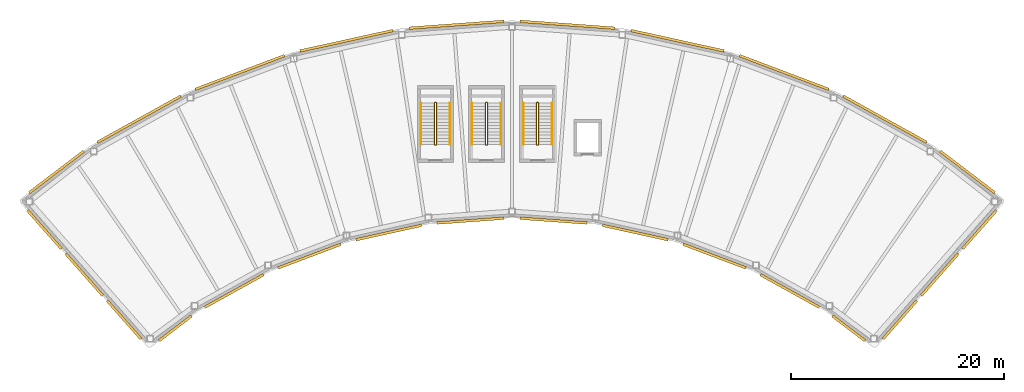
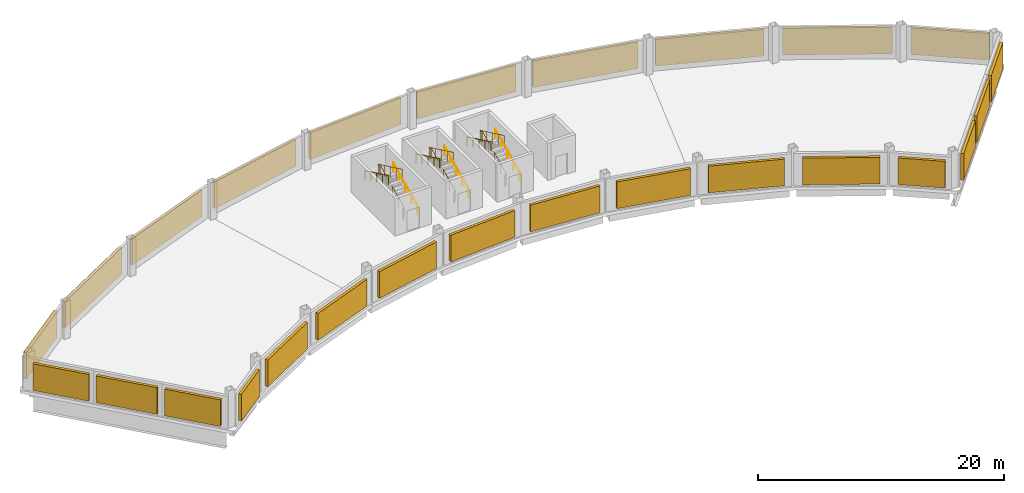
# One storey, part 5 of 5: 26 shading devices, 9 railings.
"""IFC4 building model written with IfcOpenShell, lengths in metres."""

from ifc_helpers import new_model, si_unit, direction, frame, origin, origin_2d, place, context, subcontext, project, spatial, rectangle, circle, extrude, material, type_object, element, save


model = new_model("IFC4")

# Units and contexts
model_context = context("Model", 3, precision=1e-05, world=origin(), true_north=direction((0.0, 1.0)))
body_context = subcontext(model_context, "Body", "Model", "MODEL_VIEW")
ifc_project = project(units=[si_unit("LENGTHUNIT", "METRE"), si_unit("AREAUNIT", "SQUARE_METRE"), si_unit("VOLUMEUNIT", "CUBIC_METRE"), si_unit("PLANEANGLEUNIT", "RADIAN"), si_unit("MASSUNIT", "GRAM", prefix="KILO")], contexts=[model_context])

# Site, building, storey
site_placement = place(None, origin())
site = spatial("IfcSite", under=ifc_project, at=site_placement, CompositionType="ELEMENT")
building_placement = place(site_placement, origin())
building = spatial("IfcBuilding", under=site, at=building_placement, Name="Tuul Gate Civic Tower", CompositionType="ELEMENT")
storey_placement = place(building_placement, frame((0.0, 0.0, 364.10009765625)))
storey = spatial("IfcBuildingStorey", under=building, at=storey_placement, Name="Crown tier 1 upper", CompositionType="ELEMENT", Elevation=364.10009765625)

# Shading devices
ifc_material_1 = material(Name="Aluminium louvre", Category="aluminium")
shading_device_type = type_object("IfcShadingDeviceType", Name="Louvre panel", PredefinedType="USERDEFINED", material=ifc_material_1)
shading_device_1_placement = place(storey_placement, frame((44.9931640625, -1.81201171875, 0.300048828125), z_axis=(0.0, 0.0, 1.0), x_axis=(0.605782498172, 0.795630294112, 0.0)))
element("IfcShadingDevice", 1, at=shading_device_1_placement, inside=storey, type_object=shading_device_type, Name="Louvre panel", ObjectType="LOUVRE", PredefinedType="USERDEFINED", context=body_context, shape_type="SweptSolid", body=[
    extrude(rectangle(XDim=0.25, YDim=6.449951171875, at=origin_2d()), origin(), (0.0, 0.0, 1.0), 2.64990234375),
])
for number, where, z_axis, x_axis, name in (
    (2, (37.234130859375, 3.147216796875, 0.300048828125), (0.0, 0.0, 1.0), (0.484806132848, 0.874621640227, 0.0), "Louvre panel"),
    (3, (27.7578125, 7.537353515625, 0.300048828125), (0.0, 0.0, 1.0), (0.353690785552, 0.935362404748, 0.0), "Louvre panel"),
    (4, (17.748291015625, 10.51611328125, 0.300048828125), (0.0, 0.0, 1.0), (0.215268775226, 0.976554839429, 0.0), "Louvre panel"),
    (5, (7.4140625, 12.021240234375, 0.300048828125), (0.0, 0.0, 1.0), (0.072225988978, 0.997388292751, 0.0), "Louvre panel"),
    (6, (-3.030029296875, 12.021240234375, 0.300048828125), (0.0, 0.0, 1.0), (-0.072225988978, 0.997388292751, 0.0), "Louvre panel"),
    (7, (-13.364501953125, 10.51611328125, 0.300048828125), (0.0, 0.0, 1.0), (-0.215268775226, 0.976554839429, 0.0), "Louvre panel"),
    (8, (-23.373779296875, 7.537353515625, 0.300048828125), (0.0, 0.0, 1.0), (-0.353690785552, 0.935362404748, 0.0), "Louvre panel"),
    (9, (-32.85009765625, 3.147216796875, 0.300048828125), (0.0, 0.0, 1.0), (-0.484806132848, 0.874621640227, 0.0), "Louvre panel"),
):
    element("IfcShadingDevice", number, at=place(storey_placement, frame(where, z_axis=z_axis, x_axis=x_axis)), inside=storey, type_object=shading_device_type, Name=name, ObjectType="LOUVRE", PredefinedType="USERDEFINED", context=body_context, shape_type="SweptSolid", body=[
        extrude(rectangle(XDim=0.25, YDim=8.949951171875, at=origin_2d()), origin(), (0.0, 0.0, 1.0), 2.64990234375),
    ])
shading_device_2_placement = place(storey_placement, frame((-40.609130859375, -1.81201171875, 0.300048828125), z_axis=(0.0, 0.0, 1.0), x_axis=(-0.605782498172, 0.795630294112, 0.0)))
element("IfcShadingDevice", 10, at=shading_device_2_placement, inside=storey, type_object=shading_device_type, Name="Louvre panel", ObjectType="LOUVRE", PredefinedType="USERDEFINED", context=body_context, shape_type="SweptSolid", body=[
    extrude(rectangle(XDim=0.25, YDim=6.449951171875, at=origin_2d()), origin(), (0.0, 0.0, 1.0), 2.64990234375),
])
shading_device_3_placement = place(storey_placement, frame((-41.747802734375, -7.220458984375, 0.300048828125), z_axis=(0.0, 0.0, 1.0), x_axis=(-0.749793201681, -0.661672241153, 0.0)))
element("IfcShadingDevice", 11, at=shading_device_3_placement, inside=storey, type_object=shading_device_type, Name="Louvre panel", ObjectType="LOUVRE", PredefinedType="USERDEFINED", context=body_context, shape_type="SweptSolid", body=[
    extrude(rectangle(XDim=0.25, YDim=4.800048828125, at=origin_2d()), origin(), (0.0, 0.0, 1.0), 2.64990234375),
])
shading_device_4_placement = place(storey_placement, frame((-38.004638671875, -11.462158203125, 0.300048828125), z_axis=(0.0, 0.0, 1.0), x_axis=(-0.749793201681, -0.661672241153, 0.0)))
element("IfcShadingDevice", 12, at=shading_device_4_placement, inside=storey, type_object=shading_device_type, Name="Louvre panel", ObjectType="LOUVRE", PredefinedType="USERDEFINED", context=body_context, shape_type="SweptSolid", body=[
    extrude(rectangle(XDim=0.25, YDim=5.25, at=origin_2d()), origin(), (0.0, 0.0, 1.0), 2.64990234375),
])
shading_device_5_placement = place(storey_placement, frame((-34.26171875, -15.703857421875, 0.300048828125), z_axis=(0.0, 0.0, 1.0), x_axis=(-0.749793201681, -0.661672241153, 0.0)))
element("IfcShadingDevice", 13, at=shading_device_5_placement, inside=storey, type_object=shading_device_type, Name="Louvre panel", ObjectType="LOUVRE", PredefinedType="USERDEFINED", context=body_context, shape_type="SweptSolid", body=[
    extrude(rectangle(XDim=0.25, YDim=4.800048828125, at=origin_2d()), origin(), (0.0, 0.0, 1.0), 2.64990234375),
])
shading_device_6_placement = place(storey_placement, frame((-29.44921875, -16.50439453125, 0.300048828125), z_axis=(0.0, 0.0, 1.0), x_axis=(0.605752057949, -0.79565346998, 0.0)))
element("IfcShadingDevice", 14, at=shading_device_6_placement, inside=storey, type_object=shading_device_type, Name="Louvre panel", ObjectType="LOUVRE", PredefinedType="USERDEFINED", context=body_context, shape_type="SweptSolid", body=[
    extrude(rectangle(XDim=0.25, YDim=3.85009765625, at=origin_2d()), origin(), (0.0, 0.0, 1.0), 2.64990234375),
])
for number, where, z_axis, x_axis, name in (
    (15, (-23.905517578125, -12.98974609375, 0.300048828125), (0.0, 0.0, 1.0), (0.484784498431, -0.874633631917, 0.0), "Louvre panel"),
    (16, (-16.848388671875, -9.720458984375, 0.300048828125), (0.0, 0.0, 1.0), (0.353743883051, -0.935342325143, 0.0), "Louvre panel"),
    (17, (-9.3935546875, -7.501953125, 0.300048828125), (0.0, 0.0, 1.0), (0.215196143732, -0.976570847262, 0.0), "Louvre panel"),
    (18, (-1.697021484375, -6.381103515625, 0.300048828125), (0.0, 0.0, 1.0), (0.072283482832, -0.997384127661, 0.0), "Louvre panel"),
    (19, (6.0810546875, -6.381103515625, 0.300048828125), (0.0, 0.0, 1.0), (-0.072283482832, -0.997384127661, 0.0), "Louvre panel"),
    (20, (13.777587890625, -7.501953125, 0.300048828125), (0.0, 0.0, 1.0), (-0.215196143732, -0.976570847262, 0.0), "Louvre panel"),
    (21, (21.232177734375, -9.720458984375, 0.300048828125), (0.0, 0.0, 1.0), (-0.353743883051, -0.935342325143, 0.0), "Louvre panel"),
    (22, (28.289306640625, -12.98974609375, 0.300048828125), (0.0, 0.0, 1.0), (-0.484784498431, -0.874633631917, 0.0), "Louvre panel"),
):
    element("IfcShadingDevice", number, at=place(storey_placement, frame(where, z_axis=z_axis, x_axis=x_axis)), inside=storey, type_object=shading_device_type, Name=name, ObjectType="LOUVRE", PredefinedType="USERDEFINED", context=body_context, shape_type="SweptSolid", body=[
        extrude(rectangle(XDim=0.25, YDim=6.300048828125, at=origin_2d()), origin(), (0.0, 0.0, 1.0), 2.64990234375),
    ])
shading_device_7_placement = place(storey_placement, frame((33.833251953125, -16.50439453125, 0.300048828125), z_axis=(0.0, 0.0, 1.0), x_axis=(-0.605752057949, -0.79565346998, 0.0)))
element("IfcShadingDevice", 23, at=shading_device_7_placement, inside=storey, type_object=shading_device_type, Name="Louvre panel", ObjectType="LOUVRE", PredefinedType="USERDEFINED", context=body_context, shape_type="SweptSolid", body=[
    extrude(rectangle(XDim=0.25, YDim=3.85009765625, at=origin_2d()), origin(), (0.0, 0.0, 1.0), 2.64990234375),
])
shading_device_8_placement = place(storey_placement, frame((38.6455078125, -15.703857421875, 0.300048828125), z_axis=(0.0, 0.0, 1.0), x_axis=(0.749793201681, -0.661672241153, 0.0)))
element("IfcShadingDevice", 24, at=shading_device_8_placement, inside=storey, type_object=shading_device_type, Name="Louvre panel", ObjectType="LOUVRE", PredefinedType="USERDEFINED", context=body_context, shape_type="SweptSolid", body=[
    extrude(rectangle(XDim=0.25, YDim=4.800048828125, at=origin_2d()), origin(), (0.0, 0.0, 1.0), 2.64990234375),
])
shading_device_9_placement = place(storey_placement, frame((42.388671875, -11.462158203125, 0.300048828125), z_axis=(0.0, 0.0, 1.0), x_axis=(0.749793201681, -0.661672241153, 0.0)))
element("IfcShadingDevice", 25, at=shading_device_9_placement, inside=storey, type_object=shading_device_type, Name="Louvre panel", ObjectType="LOUVRE", PredefinedType="USERDEFINED", context=body_context, shape_type="SweptSolid", body=[
    extrude(rectangle(XDim=0.25, YDim=5.25, at=origin_2d()), origin(), (0.0, 0.0, 1.0), 2.64990234375),
])
shading_device_10_placement = place(storey_placement, frame((46.1318359375, -7.220458984375, 0.300048828125), z_axis=(0.0, 0.0, 1.0), x_axis=(0.749793201681, -0.661672241153, 0.0)))
element("IfcShadingDevice", 26, at=shading_device_10_placement, inside=storey, type_object=shading_device_type, Name="Louvre panel", ObjectType="LOUVRE", PredefinedType="USERDEFINED", context=body_context, shape_type="SweptSolid", body=[
    extrude(rectangle(XDim=0.25, YDim=4.800048828125, at=origin_2d()), origin(), (0.0, 0.0, 1.0), 2.64990234375),
])

# Railings
ifc_material_2 = material(Name="Painted steel", Category="steel")
railing_type_1 = type_object("IfcRailingType", Name="Stair guard", PredefinedType="GUARDRAIL", material=ifc_material_2)
railing_1_placement = place(storey_placement, frame((-4.949951171875, 0.699951171875, 0.0)))
element("IfcRailing", 27, at=railing_1_placement, inside=storey, type_object=railing_type_1, Name="Crown tier 1 upper ST-5 stair guard 1", PredefinedType="GUARDRAIL", context=body_context, shape_type="SweptSolid", body=[
    extrude(circle(Radius=0.02392578125, at=origin_2d()), frame((0.0, 0.0, 1.076171875), z_axis=(-1.0, 0.0, 0.0), x_axis=(0.0, -1.0, 0.0)), (0.0, 0.0, 1.0), 0.10009765625),
    extrude(circle(Radius=0.02392578125, at=origin_2d()), frame((-0.10009765625, 0.0, 1.076171875), z_axis=(0.704307497325, 0.234769165775, 0.669951034041), x_axis=(-0.316227766017, 0.948683298051, 0.0)), (0.0, 0.0, 1.0), 0.213134765625),
    extrude(circle(Radius=0.02392578125, at=origin_2d()), frame((0.050048828125, 0.050048828125, 1.21875), z_axis=(0.0, 0.902853205547, 0.429948937937), x_axis=(-1.0, 0.0, 0.0)), (0.0, 0.0, 1.0), 4.319580078125),
    extrude(circle(Radius=0.02392578125, at=origin_2d()), frame((0.050048828125, 3.949951171875, 3.076171875), z_axis=(-0.707106781187, 0.707106781187, 0.0), x_axis=(-0.707106781187, -0.707106781187, 0.0)), (0.0, 0.0, 1.0), 0.07080078125),
    extrude(circle(Radius=0.02392578125, at=origin_2d()), frame((0.0, 4.0, 3.076171875), z_axis=(-1.0, 0.0, 0.0), x_axis=(0.0, -1.0, 0.0)), (0.0, 0.0, 1.0), 0.10009765625),
    extrude(circle(Radius=0.02392578125, at=origin_2d()), frame((-0.10009765625, 4.0, 3.076171875), z_axis=(-0.313985020601, -0.313985020601, 0.896006034397), x_axis=(0.707106781187, -0.707106781187, 0.0)), (0.0, 0.0, 1.0), 0.159423828125),
    extrude(circle(Radius=0.02392578125, at=origin_2d()), frame((-0.150146484375, 3.949951171875, 3.21875), z_axis=(0.0, -0.902853205547, 0.429948937937), x_axis=(1.0, 0.0, 0.0)), (0.0, 0.0, 1.0), 4.319580078125),
    extrude(circle(Radius=0.02099609375, at=origin_2d()), origin(), (0.0, 0.0, 1.0), 1.052001953125),
    extrude(circle(Radius=0.02099609375, at=origin_2d()), frame((-0.10009765625, 0.0, 0.0)), (0.0, 0.0, 1.0), 1.052001953125),
    extrude(circle(Radius=0.02099609375, at=origin_2d()), frame((0.050048828125, 0.050048828125, 0.142822265625)), (0.0, 0.0, 1.0), 1.052001953125),
    extrude(circle(Radius=0.02099609375, at=origin_2d()), frame((0.050048828125, 1.02490234375, 0.607177734375)), (0.0, 0.0, 1.0), 1.052001953125),
    extrude(circle(Radius=0.02099609375, at=origin_2d()), frame((0.050048828125, 2.0, 1.0712890625)), (0.0, 0.0, 1.0), 1.052001953125),
    extrude(circle(Radius=0.02099609375, at=origin_2d()), frame((0.050048828125, 2.97509765625, 1.53564453125)), (0.0, 0.0, 1.0), 1.052001953125),
    extrude(circle(Radius=0.02099609375, at=origin_2d()), frame((0.050048828125, 3.949951171875, 2.0)), (0.0, 0.0, 1.0), 1.052001953125),
    extrude(circle(Radius=0.02099609375, at=origin_2d()), frame((0.0, 4.0, 2.0)), (0.0, 0.0, 1.0), 1.052001953125),
    extrude(circle(Radius=0.02099609375, at=origin_2d()), frame((-0.10009765625, 4.0, 2.0)), (0.0, 0.0, 1.0), 1.052001953125),
    extrude(circle(Radius=0.02099609375, at=origin_2d()), frame((-0.150146484375, 3.949951171875, 2.142822265625)), (0.0, 0.0, 1.0), 1.052001953125),
    extrude(circle(Radius=0.02099609375, at=origin_2d()), frame((-0.150146484375, 2.97509765625, 2.607177734375)), (0.0, 0.0, 1.0), 1.052001953125),
    extrude(circle(Radius=0.02099609375, at=origin_2d()), frame((-0.150146484375, 2.0, 3.0712890625)), (0.0, 0.0, 1.0), 1.052001953125),
    extrude(circle(Radius=0.02099609375, at=origin_2d()), frame((-0.150146484375, 1.02490234375, 3.53564453125)), (0.0, 0.0, 1.0), 1.052001953125),
    extrude(circle(Radius=0.02099609375, at=origin_2d()), frame((-0.150146484375, 0.050048828125, 4.0)), (0.0, 0.0, 1.0), 1.052001953125),
])
railing_2_placement = place(storey_placement, frame((-0.14990234375, 0.699951171875, 0.0)))
element("IfcRailing", 28, at=railing_2_placement, inside=storey, type_object=railing_type_1, Name="Crown tier 1 upper ST-6 stair guard 1", PredefinedType="GUARDRAIL", context=body_context, shape_type="SweptSolid", body=[
    extrude(circle(Radius=0.02392578125, at=origin_2d()), frame((0.0, 0.0, 1.076171875), z_axis=(-1.0, 0.0, 0.0), x_axis=(0.0, -1.0, 0.0)), (0.0, 0.0, 1.0), 0.10009765625),
    extrude(circle(Radius=0.02392578125, at=origin_2d()), frame((-0.10009765625, 0.0, 1.076171875), z_axis=(0.703729666097, 0.234958601873, 0.670491619978), x_axis=(-0.316691178788, 0.948528701346, 0.0)), (0.0, 0.0, 1.0), 0.212890625),
    extrude(circle(Radius=0.02392578125, at=origin_2d()), frame((0.0498046875, 0.050048828125, 1.21875), z_axis=(0.0, 0.902853205547, 0.429948937937), x_axis=(-1.0, 0.0, 0.0)), (0.0, 0.0, 1.0), 4.319580078125),
    extrude(circle(Radius=0.02392578125, at=origin_2d()), frame((0.0498046875, 3.949951171875, 3.076171875), z_axis=(-0.705375805398, 0.708833529934, 0.0), x_axis=(-0.708833529934, -0.705375805398, 0.0)), (0.0, 0.0, 1.0), 0.070556640625),
    extrude(circle(Radius=0.02392578125, at=origin_2d()), frame((0.0, 4.0, 3.076171875), z_axis=(-1.0, 0.0, 0.0), x_axis=(0.0, -1.0, 0.0)), (0.0, 0.0, 1.0), 0.10009765625),
    extrude(circle(Radius=0.02392578125, at=origin_2d()), frame((-0.10009765625, 4.0, 3.076171875), z_axis=(-0.313985020601, -0.313985020601, 0.896006034397), x_axis=(0.707106781187, -0.707106781187, 0.0)), (0.0, 0.0, 1.0), 0.159423828125),
    extrude(circle(Radius=0.02392578125, at=origin_2d()), frame((-0.150146484375, 3.949951171875, 3.21875), z_axis=(0.0, -0.902853205547, 0.429948937937), x_axis=(1.0, 0.0, 0.0)), (0.0, 0.0, 1.0), 4.319580078125),
    extrude(circle(Radius=0.02099609375, at=origin_2d()), origin(), (0.0, 0.0, 1.0), 1.052001953125),
    extrude(circle(Radius=0.02099609375, at=origin_2d()), frame((-0.10009765625, 0.0, 0.0)), (0.0, 0.0, 1.0), 1.052001953125),
    extrude(circle(Radius=0.02099609375, at=origin_2d()), frame((0.0498046875, 0.050048828125, 0.142822265625)), (0.0, 0.0, 1.0), 1.052001953125),
    extrude(circle(Radius=0.02099609375, at=origin_2d()), frame((0.0498046875, 1.02490234375, 0.607177734375)), (0.0, 0.0, 1.0), 1.052001953125),
    extrude(circle(Radius=0.02099609375, at=origin_2d()), frame((0.0498046875, 2.0, 1.0712890625)), (0.0, 0.0, 1.0), 1.052001953125),
    extrude(circle(Radius=0.02099609375, at=origin_2d()), frame((0.0498046875, 2.97509765625, 1.53564453125)), (0.0, 0.0, 1.0), 1.052001953125),
    extrude(circle(Radius=0.02099609375, at=origin_2d()), frame((0.0498046875, 3.949951171875, 2.0)), (0.0, 0.0, 1.0), 1.052001953125),
    extrude(circle(Radius=0.02099609375, at=origin_2d()), frame((0.0, 4.0, 2.0)), (0.0, 0.0, 1.0), 1.052001953125),
    extrude(circle(Radius=0.02099609375, at=origin_2d()), frame((-0.10009765625, 4.0, 2.0)), (0.0, 0.0, 1.0), 1.052001953125),
    extrude(circle(Radius=0.02099609375, at=origin_2d()), frame((-0.150146484375, 3.949951171875, 2.142822265625)), (0.0, 0.0, 1.0), 1.052001953125),
    extrude(circle(Radius=0.02099609375, at=origin_2d()), frame((-0.150146484375, 2.97509765625, 2.607177734375)), (0.0, 0.0, 1.0), 1.052001953125),
    extrude(circle(Radius=0.02099609375, at=origin_2d()), frame((-0.150146484375, 2.0, 3.0712890625)), (0.0, 0.0, 1.0), 1.052001953125),
    extrude(circle(Radius=0.02099609375, at=origin_2d()), frame((-0.150146484375, 1.02490234375, 3.53564453125)), (0.0, 0.0, 1.0), 1.052001953125),
    extrude(circle(Radius=0.02099609375, at=origin_2d()), frame((-0.150146484375, 0.050048828125, 4.0)), (0.0, 0.0, 1.0), 1.052001953125),
])
railing_3_placement = place(storey_placement, frame((4.64990234375, 0.699951171875, 0.0)))
element("IfcRailing", 29, at=railing_3_placement, inside=storey, type_object=railing_type_1, Name="Crown tier 1 upper ST-7 stair guard 1", PredefinedType="GUARDRAIL", context=body_context, shape_type="SweptSolid", body=[
    extrude(circle(Radius=0.02392578125, at=origin_2d()), frame((0.0, 0.0, 1.076171875), z_axis=(-1.0, 0.0, 0.0), x_axis=(0.0, -1.0, 0.0)), (0.0, 0.0, 1.0), 0.099853515625),
    extrude(circle(Radius=0.02392578125, at=origin_2d()), frame((-0.099853515625, 0.0, 1.076171875), z_axis=(0.703729666097, 0.234958601873, 0.670491619978), x_axis=(-0.316691178788, 0.948528701346, 0.0)), (0.0, 0.0, 1.0), 0.212890625),
    extrude(circle(Radius=0.02392578125, at=origin_2d()), frame((0.050048828125, 0.050048828125, 1.21875), z_axis=(0.0, 0.902853205547, 0.429948937937), x_axis=(-1.0, 0.0, 0.0)), (0.0, 0.0, 1.0), 4.319580078125),
    extrude(circle(Radius=0.02392578125, at=origin_2d()), frame((0.050048828125, 3.949951171875, 3.076171875), z_axis=(-0.707106781187, 0.707106781187, 0.0), x_axis=(-0.707106781187, -0.707106781187, 0.0)), (0.0, 0.0, 1.0), 0.07080078125),
    extrude(circle(Radius=0.02392578125, at=origin_2d()), frame((0.0, 4.0, 3.076171875), z_axis=(-1.0, 0.0, 0.0), x_axis=(0.0, -1.0, 0.0)), (0.0, 0.0, 1.0), 0.099853515625),
    extrude(circle(Radius=0.02392578125, at=origin_2d()), frame((-0.099853515625, 4.0, 3.076171875), z_axis=(-0.313985020601, -0.313985020601, 0.896006034397), x_axis=(0.707106781187, -0.707106781187, 0.0)), (0.0, 0.0, 1.0), 0.159423828125),
    extrude(circle(Radius=0.02392578125, at=origin_2d()), frame((-0.14990234375, 3.949951171875, 3.21875), z_axis=(0.0, -0.902853205547, 0.429948937937), x_axis=(1.0, 0.0, 0.0)), (0.0, 0.0, 1.0), 4.319580078125),
    extrude(circle(Radius=0.02099609375, at=origin_2d()), origin(), (0.0, 0.0, 1.0), 1.052001953125),
    extrude(circle(Radius=0.02099609375, at=origin_2d()), frame((-0.099853515625, 0.0, 0.0)), (0.0, 0.0, 1.0), 1.052001953125),
    extrude(circle(Radius=0.02099609375, at=origin_2d()), frame((0.050048828125, 0.050048828125, 0.142822265625)), (0.0, 0.0, 1.0), 1.052001953125),
    extrude(circle(Radius=0.02099609375, at=origin_2d()), frame((0.050048828125, 1.02490234375, 0.607177734375)), (0.0, 0.0, 1.0), 1.052001953125),
    extrude(circle(Radius=0.02099609375, at=origin_2d()), frame((0.050048828125, 2.0, 1.0712890625)), (0.0, 0.0, 1.0), 1.052001953125),
    extrude(circle(Radius=0.02099609375, at=origin_2d()), frame((0.050048828125, 2.97509765625, 1.53564453125)), (0.0, 0.0, 1.0), 1.052001953125),
    extrude(circle(Radius=0.02099609375, at=origin_2d()), frame((0.050048828125, 3.949951171875, 2.0)), (0.0, 0.0, 1.0), 1.052001953125),
    extrude(circle(Radius=0.02099609375, at=origin_2d()), frame((0.0, 4.0, 2.0)), (0.0, 0.0, 1.0), 1.052001953125),
    extrude(circle(Radius=0.02099609375, at=origin_2d()), frame((-0.099853515625, 4.0, 2.0)), (0.0, 0.0, 1.0), 1.052001953125),
    extrude(circle(Radius=0.02099609375, at=origin_2d()), frame((-0.14990234375, 3.949951171875, 2.142822265625)), (0.0, 0.0, 1.0), 1.052001953125),
    extrude(circle(Radius=0.02099609375, at=origin_2d()), frame((-0.14990234375, 2.97509765625, 2.607177734375)), (0.0, 0.0, 1.0), 1.052001953125),
    extrude(circle(Radius=0.02099609375, at=origin_2d()), frame((-0.14990234375, 2.0, 3.0712890625)), (0.0, 0.0, 1.0), 1.052001953125),
    extrude(circle(Radius=0.02099609375, at=origin_2d()), frame((-0.14990234375, 1.02490234375, 3.53564453125)), (0.0, 0.0, 1.0), 1.052001953125),
    extrude(circle(Radius=0.02099609375, at=origin_2d()), frame((-0.14990234375, 0.050048828125, 4.0)), (0.0, 0.0, 1.0), 1.052001953125),
])
ifc_material_3 = material(Name="Painted steel", Category="steel")
railing_type_2 = type_object("IfcRailingType", Name="Stair handrail", PredefinedType="HANDRAIL", material=ifc_material_3)
railing_4_placement = place(storey_placement, frame((-3.64990234375, 0.75, 0.142822265625)))
element("IfcRailing", 30, at=railing_4_placement, inside=storey, type_object=railing_type_2, Name="Crown tier 1 upper ST-5 stair handrail 1", PredefinedType="HANDRAIL", context=body_context, shape_type="SweptSolid", body=[
    extrude(circle(Radius=0.02392578125, at=origin_2d()), frame((0.0, 0.0, 0.8759765625), z_axis=(0.0, 0.902853205547, 0.429948937937), x_axis=(-1.0, 0.0, 0.0)), (0.0, 0.0, 1.0), 4.319580078125),
    extrude(circle(Radius=0.02099609375, at=origin_2d()), origin(), (0.0, 0.0, 1.0), 0.851806640625),
    extrude(circle(Radius=0.02099609375, at=origin_2d()), frame((0.0, 0.97509765625, 0.46435546875)), (0.0, 0.0, 1.0), 0.851806640625),
    extrude(circle(Radius=0.02099609375, at=origin_2d()), frame((0.0, 1.949951171875, 0.9287109375)), (0.0, 0.0, 1.0), 0.851806640625),
    extrude(circle(Radius=0.02099609375, at=origin_2d()), frame((0.0, 2.9248046875, 1.392822265625)), (0.0, 0.0, 1.0), 0.851806640625),
    extrude(circle(Radius=0.02099609375, at=origin_2d()), frame((0.0, 3.89990234375, 1.857177734375)), (0.0, 0.0, 1.0), 0.851806640625),
])
railing_5_placement = place(storey_placement, frame((-6.35009765625, 4.64990234375, 2.142822265625)))
element("IfcRailing", 31, at=railing_5_placement, inside=storey, type_object=railing_type_2, Name="Crown tier 1 upper ST-5 stair handrail 2", PredefinedType="HANDRAIL", context=body_context, shape_type="SweptSolid", body=[
    extrude(circle(Radius=0.02392578125, at=origin_2d()), frame((0.0, 0.0, 0.8759765625), z_axis=(0.0, -0.902853205547, 0.429948937937), x_axis=(1.0, 0.0, 0.0)), (0.0, 0.0, 1.0), 4.319580078125),
    extrude(circle(Radius=0.02099609375, at=origin_2d()), origin(), (0.0, 0.0, 1.0), 0.851806640625),
    extrude(circle(Radius=0.02099609375, at=origin_2d()), frame((0.0, -0.97509765625, 0.46435546875)), (0.0, 0.0, 1.0), 0.851806640625),
    extrude(circle(Radius=0.02099609375, at=origin_2d()), frame((0.0, -1.949951171875, 0.9287109375)), (0.0, 0.0, 1.0), 0.851806640625),
    extrude(circle(Radius=0.02099609375, at=origin_2d()), frame((0.0, -2.9248046875, 1.392822265625)), (0.0, 0.0, 1.0), 0.851806640625),
    extrude(circle(Radius=0.02099609375, at=origin_2d()), frame((0.0, -3.89990234375, 1.857177734375)), (0.0, 0.0, 1.0), 0.851806640625),
])
railing_6_placement = place(storey_placement, frame((1.14990234375, 0.75, 0.142822265625)))
element("IfcRailing", 32, at=railing_6_placement, inside=storey, type_object=railing_type_2, Name="Crown tier 1 upper ST-6 stair handrail 1", PredefinedType="HANDRAIL", context=body_context, shape_type="SweptSolid", body=[
    extrude(circle(Radius=0.02392578125, at=origin_2d()), frame((0.0, 0.0, 0.8759765625), z_axis=(0.0, 0.902853205547, 0.429948937937), x_axis=(-1.0, 0.0, 0.0)), (0.0, 0.0, 1.0), 4.319580078125),
    extrude(circle(Radius=0.02099609375, at=origin_2d()), origin(), (0.0, 0.0, 1.0), 0.851806640625),
    extrude(circle(Radius=0.02099609375, at=origin_2d()), frame((0.0, 0.97509765625, 0.46435546875)), (0.0, 0.0, 1.0), 0.851806640625),
    extrude(circle(Radius=0.02099609375, at=origin_2d()), frame((0.0, 1.949951171875, 0.9287109375)), (0.0, 0.0, 1.0), 0.851806640625),
    extrude(circle(Radius=0.02099609375, at=origin_2d()), frame((0.0, 2.9248046875, 1.392822265625)), (0.0, 0.0, 1.0), 0.851806640625),
    extrude(circle(Radius=0.02099609375, at=origin_2d()), frame((0.0, 3.89990234375, 1.857177734375)), (0.0, 0.0, 1.0), 0.851806640625),
])
railing_7_placement = place(storey_placement, frame((-1.550048828125, 4.64990234375, 2.142822265625)))
element("IfcRailing", 33, at=railing_7_placement, inside=storey, type_object=railing_type_2, Name="Crown tier 1 upper ST-6 stair handrail 2", PredefinedType="HANDRAIL", context=body_context, shape_type="SweptSolid", body=[
    extrude(circle(Radius=0.02392578125, at=origin_2d()), frame((0.0, 0.0, 0.8759765625), z_axis=(0.0, -0.902853205547, 0.429948937937), x_axis=(1.0, 0.0, 0.0)), (0.0, 0.0, 1.0), 4.319580078125),
    extrude(circle(Radius=0.02099609375, at=origin_2d()), origin(), (0.0, 0.0, 1.0), 0.851806640625),
    extrude(circle(Radius=0.02099609375, at=origin_2d()), frame((0.0, -0.97509765625, 0.46435546875)), (0.0, 0.0, 1.0), 0.851806640625),
    extrude(circle(Radius=0.02099609375, at=origin_2d()), frame((0.0, -1.949951171875, 0.9287109375)), (0.0, 0.0, 1.0), 0.851806640625),
    extrude(circle(Radius=0.02099609375, at=origin_2d()), frame((0.0, -2.9248046875, 1.392822265625)), (0.0, 0.0, 1.0), 0.851806640625),
    extrude(circle(Radius=0.02099609375, at=origin_2d()), frame((0.0, -3.89990234375, 1.857177734375)), (0.0, 0.0, 1.0), 0.851806640625),
])
railing_8_placement = place(storey_placement, frame((5.949951171875, 0.75, 0.142822265625)))
element("IfcRailing", 34, at=railing_8_placement, inside=storey, type_object=railing_type_2, Name="Crown tier 1 upper ST-7 stair handrail 1", PredefinedType="HANDRAIL", context=body_context, shape_type="SweptSolid", body=[
    extrude(circle(Radius=0.02392578125, at=origin_2d()), frame((0.0, 0.0, 0.8759765625), z_axis=(0.0, 0.902853205547, 0.429948937937), x_axis=(-1.0, 0.0, 0.0)), (0.0, 0.0, 1.0), 4.319580078125),
    extrude(circle(Radius=0.02099609375, at=origin_2d()), origin(), (0.0, 0.0, 1.0), 0.851806640625),
    extrude(circle(Radius=0.02099609375, at=origin_2d()), frame((0.0, 0.97509765625, 0.46435546875)), (0.0, 0.0, 1.0), 0.851806640625),
    extrude(circle(Radius=0.02099609375, at=origin_2d()), frame((0.0, 1.949951171875, 0.9287109375)), (0.0, 0.0, 1.0), 0.851806640625),
    extrude(circle(Radius=0.02099609375, at=origin_2d()), frame((0.0, 2.9248046875, 1.392822265625)), (0.0, 0.0, 1.0), 0.851806640625),
    extrude(circle(Radius=0.02099609375, at=origin_2d()), frame((0.0, 3.89990234375, 1.857177734375)), (0.0, 0.0, 1.0), 0.851806640625),
])
railing_9_placement = place(storey_placement, frame((3.25, 4.64990234375, 2.142822265625)))
element("IfcRailing", 35, at=railing_9_placement, inside=storey, type_object=railing_type_2, Name="Crown tier 1 upper ST-7 stair handrail 2", PredefinedType="HANDRAIL", context=body_context, shape_type="SweptSolid", body=[
    extrude(circle(Radius=0.02392578125, at=origin_2d()), frame((0.0, 0.0, 0.8759765625), z_axis=(0.0, -0.902853205547, 0.429948937937), x_axis=(1.0, 0.0, 0.0)), (0.0, 0.0, 1.0), 4.319580078125),
    extrude(circle(Radius=0.02099609375, at=origin_2d()), origin(), (0.0, 0.0, 1.0), 0.851806640625),
    extrude(circle(Radius=0.02099609375, at=origin_2d()), frame((0.0, -0.97509765625, 0.46435546875)), (0.0, 0.0, 1.0), 0.851806640625),
    extrude(circle(Radius=0.02099609375, at=origin_2d()), frame((0.0, -1.949951171875, 0.9287109375)), (0.0, 0.0, 1.0), 0.851806640625),
    extrude(circle(Radius=0.02099609375, at=origin_2d()), frame((0.0, -2.9248046875, 1.392822265625)), (0.0, 0.0, 1.0), 0.851806640625),
    extrude(circle(Radius=0.02099609375, at=origin_2d()), frame((0.0, -3.89990234375, 1.857177734375)), (0.0, 0.0, 1.0), 0.851806640625),
])

save(model, "model.ifc")
